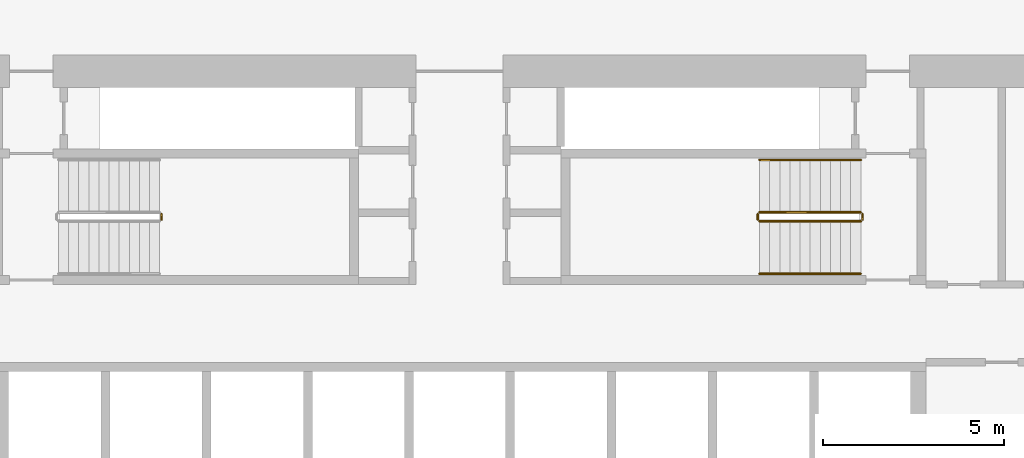
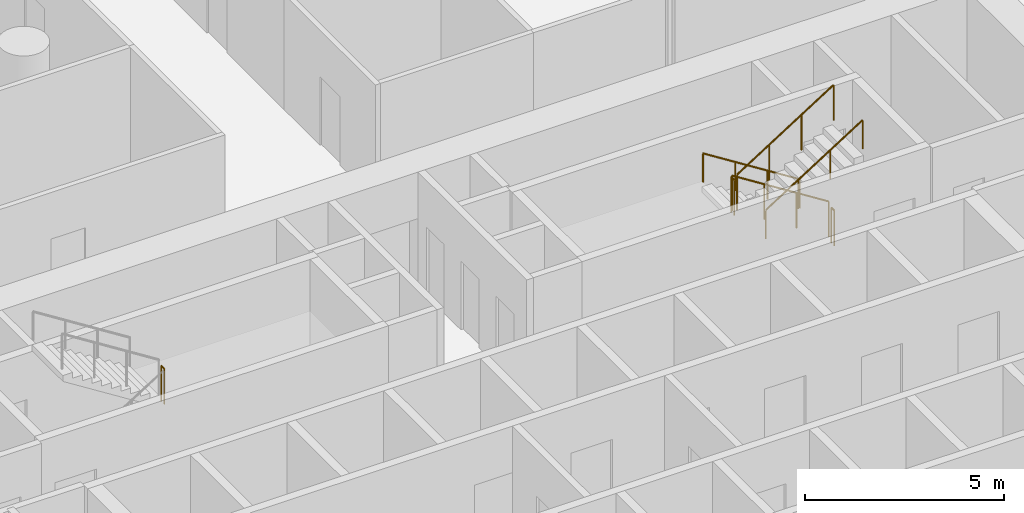
# One storey, part 17 of 18: 7 railings.
"""IFC4 building model written with IfcOpenShell, lengths in metres."""

from ifc_helpers import new_model, si_unit, direction, frame, origin, origin_2d, place, context, subcontext, project, spatial, circle, extrude, material, type_object, element, save


model = new_model("IFC4")

# Units and contexts
model_context = context("Model", 3, precision=1e-05, world=origin(), true_north=direction((0.0, 1.0)))
body_context = subcontext(model_context, "Body", "Model", "MODEL_VIEW")
ifc_project = project(units=[si_unit("LENGTHUNIT", "METRE"), si_unit("AREAUNIT", "SQUARE_METRE"), si_unit("VOLUMEUNIT", "CUBIC_METRE"), si_unit("PLANEANGLEUNIT", "RADIAN"), si_unit("MASSUNIT", "GRAM", prefix="KILO")], contexts=[model_context])

# Site, building, storey
site_placement = place(None, origin())
site = spatial("IfcSite", under=ifc_project, at=site_placement, CompositionType="ELEMENT")
building_placement = place(site_placement, origin())
building = spatial("IfcBuilding", under=site, at=building_placement, Name="Dhurran Vertical Campus", CompositionType="ELEMENT")
storey_placement = place(building_placement, frame((0.0, 0.0, 104.699951171875)))
storey = spatial("IfcBuildingStorey", under=building, at=storey_placement, Name="L25", CompositionType="ELEMENT", Elevation=104.699951171875)

# Railings
ifc_material_1 = material(Name="Stainless steel balustrade", Category="steel")
railing_type_1 = type_object("IfcRailingType", Name="co-RL-GUARD-1100", PredefinedType="GUARDRAIL", material=ifc_material_1)
railing_1_placement = place(storey_placement, frame((-8.25, 8.949951171875, 1.949951171875)))
element("IfcRailing", 1, at=railing_1_placement, inside=storey, type_object=railing_type_1, Name="L25 ST1 stair guard 2", PredefinedType="GUARDRAIL", context=body_context, shape_type="SweptSolid", body=[
    extrude(circle(Radius=0.02392578125, at=origin_2d()), frame((0.0, 0.0, 1.076171875), z_axis=(0.0, 1.0, 0.0), x_axis=(-1.0, 0.0, 0.0)), (0.0, 0.0, 1.0), 0.150146484375),
    extrude(circle(Radius=0.02099609375, at=origin_2d()), origin(), (0.0, 0.0, 1.0), 1.052001953125),
    extrude(circle(Radius=0.02099609375, at=origin_2d()), frame((0.0, 0.150146484375, 0.0)), (0.0, 0.0, 1.0), 1.052001953125),
])
railing_2_placement = place(storey_placement, frame((11.10009765625, 9.14990234375, 0.17724609375)))
element("IfcRailing", 2, at=railing_2_placement, inside=storey, type_object=railing_type_1, Name="L25 ST2 stair guard 1", PredefinedType="GUARDRAIL", context=body_context, shape_type="SweptSolid", body=[
    extrude(circle(Radius=0.02392578125, at=origin_2d()), frame((0.0, 0.0, 1.076171875), z_axis=(-0.844908973607, 0.0, 0.534910110503), x_axis=(0.0, -1.0, 0.0)), (0.0, 0.0, 1.0), 3.31396484375),
    extrude(circle(Radius=0.02099609375, at=origin_2d()), origin(), (0.0, 0.0, 1.0), 1.052001953125),
    extrude(circle(Radius=0.02099609375, at=origin_2d()), frame((-0.933349609375, 0.0, 0.5908203125)), (0.0, 0.0, 1.0), 1.052001953125),
    extrude(circle(Radius=0.02099609375, at=origin_2d()), frame((-1.86669921875, 0.0, 1.181884765625)), (0.0, 0.0, 1.0), 1.052001953125),
    extrude(circle(Radius=0.02099609375, at=origin_2d()), frame((-2.800048828125, 0.0, 1.772705078125)), (0.0, 0.0, 1.0), 1.052001953125),
])
railing_3_placement = place(storey_placement, frame((8.25, 9.10009765625, 1.949951171875)))
element("IfcRailing", 3, at=railing_3_placement, inside=storey, type_object=railing_type_1, Name="L25 ST2 stair guard 2", PredefinedType="GUARDRAIL", context=body_context, shape_type="SweptSolid", body=[
    extrude(circle(Radius=0.02392578125, at=origin_2d()), frame((0.0, 0.0, 1.076171875), z_axis=(0.0, -1.0, 0.0), x_axis=(1.0, 0.0, 0.0)), (0.0, 0.0, 1.0), 0.150146484375),
    extrude(circle(Radius=0.02099609375, at=origin_2d()), origin(), (0.0, 0.0, 1.0), 1.052001953125),
    extrude(circle(Radius=0.02099609375, at=origin_2d()), frame((0.0, -0.150146484375, 0.0)), (0.0, 0.0, 1.0), 1.052001953125),
])
railing_4_placement = place(storey_placement, frame((8.300048828125, 8.89990234375, 2.12744140625)))
element("IfcRailing", 4, at=railing_4_placement, inside=storey, type_object=railing_type_1, Name="L25 ST2 stair guard 3", PredefinedType="GUARDRAIL", context=body_context, shape_type="SweptSolid", body=[
    extrude(circle(Radius=0.02392578125, at=origin_2d()), frame((0.0, 0.0, 1.076171875), z_axis=(0.844908973607, 0.0, 0.534910110503), x_axis=(0.0, 1.0, 0.0)), (0.0, 0.0, 1.0), 3.31396484375),
    extrude(circle(Radius=0.02099609375, at=origin_2d()), origin(), (0.0, 0.0, 1.0), 1.052001953125),
    extrude(circle(Radius=0.02099609375, at=origin_2d()), frame((0.933349609375, 0.0, 0.5908203125)), (0.0, 0.0, 1.0), 1.052001953125),
    extrude(circle(Radius=0.02099609375, at=origin_2d()), frame((1.86669921875, 0.0, 1.181884765625)), (0.0, 0.0, 1.0), 1.052001953125),
    extrude(circle(Radius=0.02099609375, at=origin_2d()), frame((2.800048828125, 0.0, 1.772705078125)), (0.0, 0.0, 1.0), 1.052001953125),
])
railing_5_placement = place(storey_placement, frame((11.14990234375, 9.10009765625, 0.0)))
element("IfcRailing", 5, at=railing_5_placement, inside=storey, type_object=railing_type_1, Name="L25 ST2 stair guard 4", PredefinedType="GUARDRAIL", context=body_context, shape_type="SweptSolid", body=[
    extrude(circle(Radius=0.02392578125, at=origin_2d()), frame((0.0, 0.0, 1.076171875), z_axis=(0.0, -1.0, 0.0), x_axis=(1.0, 0.0, 0.0)), (0.0, 0.0, 1.0), 0.150146484375),
    extrude(circle(Radius=0.02099609375, at=origin_2d()), origin(), (0.0, 0.0, 1.0), 1.052001953125),
    extrude(circle(Radius=0.02099609375, at=origin_2d()), frame((0.0, -0.150146484375, 0.0)), (0.0, 0.0, 1.0), 1.052001953125),
])
ifc_material_2 = material(Name="Stainless steel handrail", Category="steel")
railing_type_2 = type_object("IfcRailingType", Name="co-RL-HANDRAIL-900", PredefinedType="HANDRAIL", material=ifc_material_2)
railing_6_placement = place(storey_placement, frame((11.10009765625, 10.60009765625, 0.17724609375)))
element("IfcRailing", 6, at=railing_6_placement, inside=storey, type_object=railing_type_2, Name="L25 ST2 stair handrail 1", PredefinedType="HANDRAIL", context=body_context, shape_type="SweptSolid", body=[
    extrude(circle(Radius=0.02392578125, at=origin_2d()), frame((0.0, 0.0, 0.8759765625), z_axis=(-0.844908973607, 0.0, 0.534910110503), x_axis=(0.0, -1.0, 0.0)), (0.0, 0.0, 1.0), 3.31396484375),
    extrude(circle(Radius=0.02099609375, at=origin_2d()), origin(), (0.0, 0.0, 1.0), 0.851806640625),
    extrude(circle(Radius=0.02099609375, at=origin_2d()), frame((-0.933349609375, 0.0, 0.5908203125)), (0.0, 0.0, 1.0), 0.851806640625),
    extrude(circle(Radius=0.02099609375, at=origin_2d()), frame((-1.86669921875, 0.0, 1.181884765625)), (0.0, 0.0, 1.0), 0.851806640625),
    extrude(circle(Radius=0.02099609375, at=origin_2d()), frame((-2.800048828125, 0.0, 1.772705078125)), (0.0, 0.0, 1.0), 0.851806640625),
])
railing_7_placement = place(storey_placement, frame((8.300048828125, 7.449951171875, 2.12744140625)))
element("IfcRailing", 7, at=railing_7_placement, inside=storey, type_object=railing_type_2, Name="L25 ST2 stair handrail 2", PredefinedType="HANDRAIL", context=body_context, shape_type="SweptSolid", body=[
    extrude(circle(Radius=0.02392578125, at=origin_2d()), frame((0.0, 0.0, 0.8759765625), z_axis=(0.844908973607, 0.0, 0.534910110503), x_axis=(0.0, 1.0, 0.0)), (0.0, 0.0, 1.0), 3.31396484375),
    extrude(circle(Radius=0.02099609375, at=origin_2d()), origin(), (0.0, 0.0, 1.0), 0.851806640625),
    extrude(circle(Radius=0.02099609375, at=origin_2d()), frame((0.933349609375, 0.0, 0.5908203125)), (0.0, 0.0, 1.0), 0.851806640625),
    extrude(circle(Radius=0.02099609375, at=origin_2d()), frame((1.86669921875, 0.0, 1.181884765625)), (0.0, 0.0, 1.0), 0.851806640625),
    extrude(circle(Radius=0.02099609375, at=origin_2d()), frame((2.800048828125, 0.0, 1.772705078125)), (0.0, 0.0, 1.0), 0.851806640625),
])

save(model, "model.ifc")
